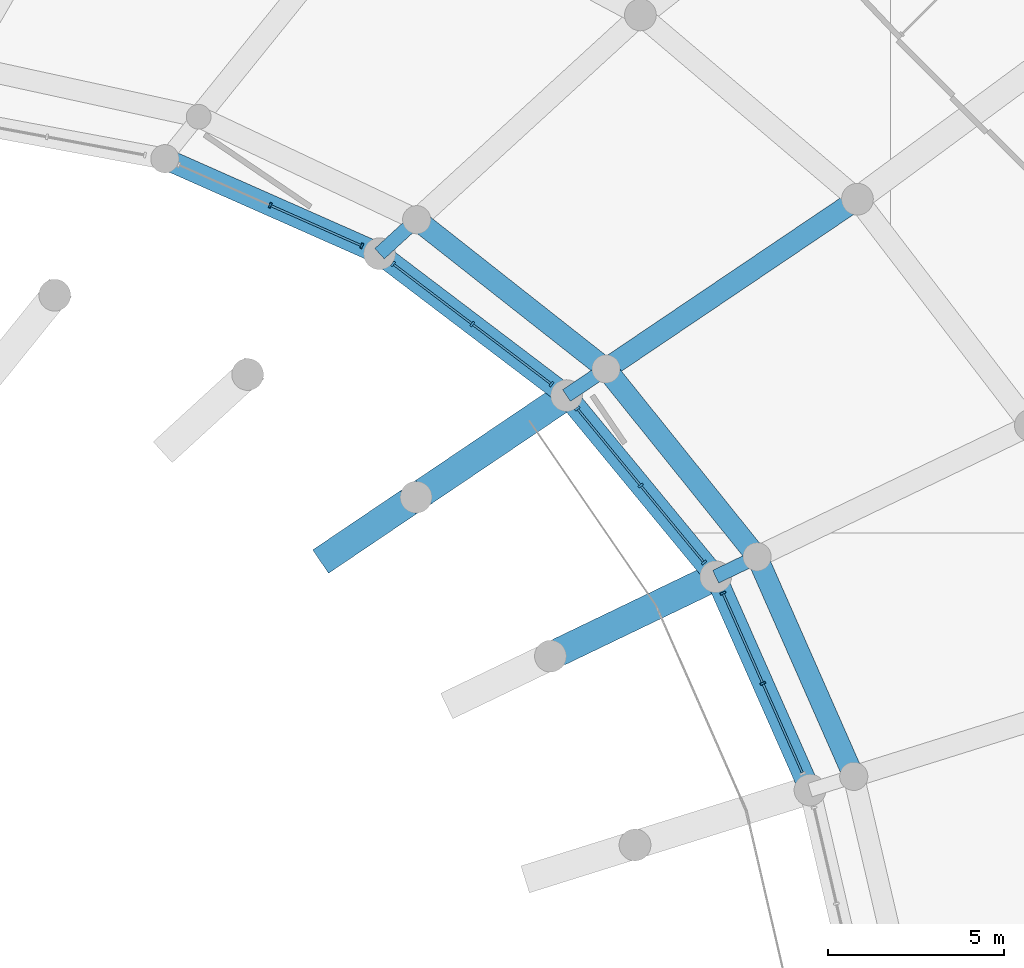
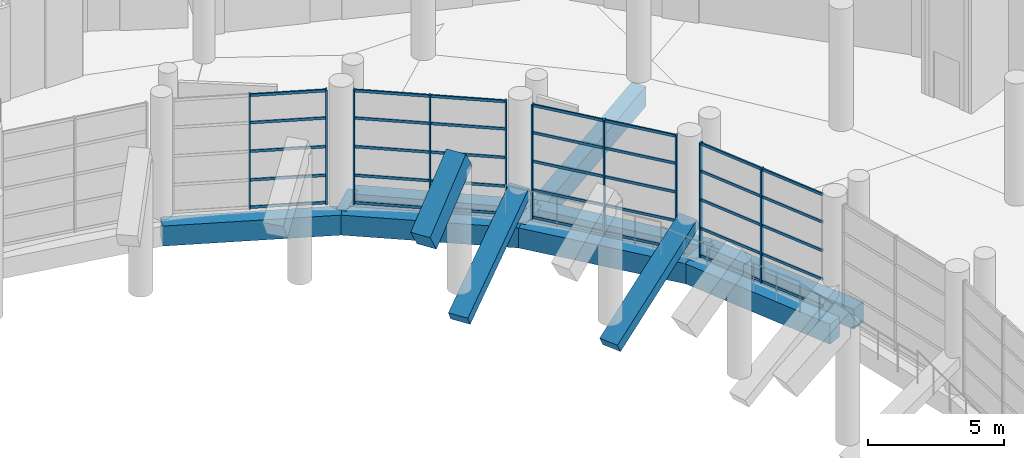
# One storey, part 95 of 271: 45 members, 14 beams, 4 elements without a shape of their own.
"""IFC4 building model written with IfcOpenShell, lengths in metres."""

from ifc_helpers import new_model, si_unit, direction, frame, origin, origin_2d, place, context, subcontext, project, spatial, rectangle, extrude, material, layer, layer_set, material_profile, profile_set, type_object, element, aggregate, save


model = new_model("IFC4")

# Units and contexts
model_context = context("Model", 3, precision=1e-05, world=origin(), true_north=direction((0.0, 1.0)))
body_context = subcontext(model_context, "Body", "Model", "MODEL_VIEW")
ifc_project = project(units=[si_unit("LENGTHUNIT", "METRE"), si_unit("AREAUNIT", "SQUARE_METRE"), si_unit("VOLUMEUNIT", "CUBIC_METRE"), si_unit("PLANEANGLEUNIT", "RADIAN"), si_unit("MASSUNIT", "GRAM", prefix="KILO")], contexts=[model_context])

# Site, building, storey
site_placement = place(None, origin())
site = spatial("IfcSite", under=ifc_project, at=site_placement, CompositionType="ELEMENT")
building_placement = place(site_placement, origin())
building = spatial("IfcBuilding", under=site, at=building_placement, Name="Meseta Stadium", CompositionType="ELEMENT")
storey_placement = place(building_placement, frame((0.0, 0.0, 6.5)))
storey = spatial("IfcBuildingStorey", under=building, at=storey_placement, Name="L01", CompositionType="ELEMENT", Elevation=6.5)

# Curtain wall, members
ifc_material_1 = material(Name="Aluminium", Category="aluminium")
ifc_layer = layer(ifc_material_1, 0.199951171875)
ifc_layer_set = layer_set([ifc_layer], Name="Club glazing curtain wall")
curtain_wall_type = type_object("IfcCurtainWallType", Name="Club glazing curtain wall", PredefinedType="NOTDEFINED", material=ifc_layer_set)
curtain_wall_1_placement = place(storey_placement, origin())
curtain_wall_1 = element("IfcCurtainWall", 1, at=curtain_wall_1_placement, inside=storey, type_object=curtain_wall_type, Name="Club glazing bay 10", PredefinedType="NOTDEFINED")
ifc_material_2 = material(Name="Aluminium", Category="aluminium")
ifc_material_profile_1 = material_profile(ifc_material_2, rectangle(XDim=0.159912109375, YDim=0.06005859375, at=origin_2d()), Name="CW 160x60")
ifc_profile_set_1 = profile_set([ifc_material_profile_1], Name="Aluminium")
member_type_1 = type_object("IfcMemberType", Name="CW mullion 60x160", PredefinedType="MULLION", material=ifc_profile_set_1)
member_1_placement = place(storey_placement, frame((60.385498046875, 59.7421875, 0.0), z_axis=(0.0, 0.0, 1.0), x_axis=(-0.914657215102, -0.404230353712, 0.0)))
member_1 = element("IfcMember", 2, at=member_1_placement, type_object=member_type_1, Name="CWC mullion 2", PredefinedType="MULLION", context=body_context, shape_type="SweptSolid", body=[
    extrude(rectangle(XDim=0.159912109375, YDim=0.06005859375, at=origin_2d()), origin(), (0.0, 0.0, 1.0), 5.14990234375),
])
member_2_placement = place(storey_placement, frame((59.2548828125, 62.300537109375, 0.0), z_axis=(0.0, 0.0, 1.0), x_axis=(-0.914657215102, -0.404230353712, 0.0)))
member_2 = element("IfcMember", 3, at=member_2_placement, type_object=member_type_1, Name="CWC mullion 3", PredefinedType="MULLION", context=body_context, shape_type="SweptSolid", body=[
    extrude(rectangle(XDim=0.159912109375, YDim=0.06005859375, at=origin_2d()), origin(), (0.0, 0.0, 1.0), 5.14990234375),
])

curtain_wall_2_placement = place(storey_placement, origin())
curtain_wall_2 = element("IfcCurtainWall", 4, at=curtain_wall_2_placement, inside=storey, type_object=curtain_wall_type, Name="Club glazing bay 11", PredefinedType="NOTDEFINED")
member_3_placement = place(storey_placement, frame((58.71630859375, 63.170166015625, 0.0), z_axis=(0.0, 0.0, 1.0), x_axis=(-0.771902420685, -0.63574102663, 0.0)))
member_3 = element("IfcMember", 5, at=member_3_placement, type_object=member_type_1, Name="CWC mullion 1", PredefinedType="MULLION", context=body_context, shape_type="SweptSolid", body=[
    extrude(rectangle(XDim=0.159912109375, YDim=0.06005859375, at=origin_2d()), origin(), (0.0, 0.0, 1.0), 5.14990234375),
])
member_4_placement = place(storey_placement, frame((56.920654296875, 65.3505859375, 0.0), z_axis=(0.0, 0.0, 1.0), x_axis=(-0.771902420685, -0.63574102663, 0.0)))
member_4 = element("IfcMember", 6, at=member_4_placement, type_object=member_type_1, Name="CWC mullion 2", PredefinedType="MULLION", context=body_context, shape_type="SweptSolid", body=[
    extrude(rectangle(XDim=0.159912109375, YDim=0.06005859375, at=origin_2d()), origin(), (0.0, 0.0, 1.0), 5.14990234375),
])
member_5_placement = place(storey_placement, frame((55.124755859375, 67.531005859375, 0.0), z_axis=(0.0, 0.0, 1.0), x_axis=(-0.771902420685, -0.63574102663, 0.0)))
member_5 = element("IfcMember", 7, at=member_5_placement, type_object=member_type_1, Name="CWC mullion 3", PredefinedType="MULLION", context=body_context, shape_type="SweptSolid", body=[
    extrude(rectangle(XDim=0.159912109375, YDim=0.06005859375, at=origin_2d()), origin(), (0.0, 0.0, 1.0), 5.14990234375),
])

curtain_wall_3_placement = place(storey_placement, origin())
curtain_wall_3 = element("IfcCurtainWall", 8, at=curtain_wall_3_placement, inside=storey, type_object=curtain_wall_type, Name="Club glazing bay 12", PredefinedType="NOTDEFINED")
member_6_placement = place(storey_placement, frame((54.392578125, 68.2255859375, 0.0), z_axis=(0.0, 0.0, 1.0), x_axis=(-0.604519923448, -0.796590021375, 0.0)))
member_6 = element("IfcMember", 9, at=member_6_placement, type_object=member_type_1, Name="CWC mullion 1", PredefinedType="MULLION", context=body_context, shape_type="SweptSolid", body=[
    extrude(rectangle(XDim=0.159912109375, YDim=0.06005859375, at=origin_2d()), origin(), (0.0, 0.0, 1.0), 5.14990234375),
])
member_7_placement = place(storey_placement, frame((52.146484375, 69.93017578125, 0.0), z_axis=(0.0, 0.0, 1.0), x_axis=(-0.604519923448, -0.796590021375, 0.0)))
member_7 = element("IfcMember", 10, at=member_7_placement, type_object=member_type_1, Name="CWC mullion 2", PredefinedType="MULLION", context=body_context, shape_type="SweptSolid", body=[
    extrude(rectangle(XDim=0.159912109375, YDim=0.06005859375, at=origin_2d()), origin(), (0.0, 0.0, 1.0), 5.14990234375),
])
member_8_placement = place(storey_placement, frame((49.900390625, 71.634765625, 0.0), z_axis=(0.0, 0.0, 1.0), x_axis=(-0.604519923448, -0.796590021375, 0.0)))
member_8 = element("IfcMember", 11, at=member_8_placement, type_object=member_type_1, Name="CWC mullion 3", PredefinedType="MULLION", context=body_context, shape_type="SweptSolid", body=[
    extrude(rectangle(XDim=0.159912109375, YDim=0.06005859375, at=origin_2d()), origin(), (0.0, 0.0, 1.0), 5.14990234375),
])

curtain_wall_4_placement = place(storey_placement, origin())
curtain_wall_4 = element("IfcCurtainWall", 12, at=curtain_wall_4_placement, inside=storey, type_object=curtain_wall_type, Name="Club glazing bay 13", PredefinedType="NOTDEFINED")
member_9_placement = place(storey_placement, frame((49.0126953125, 72.148193359375, 0.0), z_axis=(0.0, 0.0, 1.0), x_axis=(-0.40452428424, -0.914527256817, 0.0)))
member_9 = element("IfcMember", 13, at=member_9_placement, type_object=member_type_1, Name="CWC mullion 1", PredefinedType="MULLION", context=body_context, shape_type="SweptSolid", body=[
    extrude(rectangle(XDim=0.159912109375, YDim=0.06005859375, at=origin_2d()), origin(), (0.0, 0.0, 1.0), 5.14990234375),
])
member_10_placement = place(storey_placement, frame((46.41796875, 73.2958984375, 0.0), z_axis=(0.0, 0.0, 1.0), x_axis=(-0.40452428424, -0.914527256817, 0.0)))
member_10 = element("IfcMember", 14, at=member_10_placement, type_object=member_type_1, Name="CWC mullion 2", PredefinedType="MULLION", context=body_context, shape_type="SweptSolid", body=[
    extrude(rectangle(XDim=0.159912109375, YDim=0.06005859375, at=origin_2d()), origin(), (0.0, 0.0, 1.0), 5.14990234375),
])

# Member
ifc_material_3 = material(Name="Aluminium", Category="aluminium")
ifc_material_profile_2 = material_profile(ifc_material_3, rectangle(XDim=0.06005859375, YDim=0.1201171875, at=origin_2d()), Name="CW 60x120")
ifc_profile_set_2 = profile_set([ifc_material_profile_2], Name="Aluminium")
member_type_2 = type_object("IfcMemberType", Name="CW transom 60x120", PredefinedType="USERDEFINED", material=ifc_profile_set_2)
member_11_placement = place(storey_placement, frame((61.504150390625, 57.211181640625, 0.06005859375), z_axis=(-0.404217645264, 0.914662831461, 0.0), x_axis=(-0.914662831461, -0.404217645264, 0.0)))
member_11 = element("IfcMember", 15, at=member_11_placement, type_object=member_type_2, Name="CWC transom 1.1", ObjectType="TRANSOM", PredefinedType="USERDEFINED", context=body_context, shape_type="SweptSolid", body=[
    extrude(rectangle(XDim=0.06005859375, YDim=0.1201171875, at=origin_2d()), origin(), (0.0, 0.0, 1.0), 2.7373046875),
])

member_12_placement = place(storey_placement, frame((61.504150390625, 57.211181640625, 1.28759765625), z_axis=(-0.404217645264, 0.914662831461, 0.0), x_axis=(-0.914662831461, -0.404217645264, 0.0)))
member_12 = element("IfcMember", 16, at=member_12_placement, type_object=member_type_2, Name="CWC transom 1.2", ObjectType="TRANSOM", PredefinedType="USERDEFINED", context=body_context, shape_type="SweptSolid", body=[
    extrude(rectangle(XDim=0.06005859375, YDim=0.1201171875, at=origin_2d()), origin(), (0.0, 0.0, 1.0), 2.7373046875),
])

member_13_placement = place(storey_placement, frame((61.504150390625, 57.211181640625, 2.574951171875), z_axis=(-0.404217645264, 0.914662831461, 0.0), x_axis=(-0.914662831461, -0.404217645264, 0.0)))
member_13 = element("IfcMember", 17, at=member_13_placement, type_object=member_type_2, Name="CWC transom 1.3", ObjectType="TRANSOM", PredefinedType="USERDEFINED", context=body_context, shape_type="SweptSolid", body=[
    extrude(rectangle(XDim=0.06005859375, YDim=0.1201171875, at=origin_2d()), origin(), (0.0, 0.0, 1.0), 2.7373046875),
])

member_14_placement = place(storey_placement, frame((61.504150390625, 57.211181640625, 3.862548828125), z_axis=(-0.404217645264, 0.914662831461, 0.0), x_axis=(-0.914662831461, -0.404217645264, 0.0)))
member_14 = element("IfcMember", 18, at=member_14_placement, type_object=member_type_2, Name="CWC transom 1.4", ObjectType="TRANSOM", PredefinedType="USERDEFINED", context=body_context, shape_type="SweptSolid", body=[
    extrude(rectangle(XDim=0.06005859375, YDim=0.1201171875, at=origin_2d()), origin(), (0.0, 0.0, 1.0), 2.7373046875),
])

member_15_placement = place(storey_placement, frame((61.504150390625, 57.211181640625, 5.090087890625), z_axis=(-0.404217645264, 0.914662831461, 0.0), x_axis=(-0.914662831461, -0.404217645264, 0.0)))
member_15 = element("IfcMember", 19, at=member_15_placement, type_object=member_type_2, Name="CWC transom 1.5", ObjectType="TRANSOM", PredefinedType="USERDEFINED", context=body_context, shape_type="SweptSolid", body=[
    extrude(rectangle(XDim=0.06005859375, YDim=0.1201171875, at=origin_2d()), origin(), (0.0, 0.0, 1.0), 2.7373046875),
])

member_16_placement = place(storey_placement, frame((60.373291015625, 59.76953125, 0.06005859375), z_axis=(-0.404217645264, 0.914662831461, 0.0), x_axis=(-0.914662831461, -0.404217645264, 0.0)))
member_16 = element("IfcMember", 20, at=member_16_placement, type_object=member_type_2, Name="CWC transom 2.1", ObjectType="TRANSOM", PredefinedType="USERDEFINED", context=body_context, shape_type="SweptSolid", body=[
    extrude(rectangle(XDim=0.06005859375, YDim=0.1201171875, at=origin_2d()), origin(), (0.0, 0.0, 1.0), 2.7373046875),
])

member_17_placement = place(storey_placement, frame((60.373291015625, 59.76953125, 1.28759765625), z_axis=(-0.404217645264, 0.914662831461, 0.0), x_axis=(-0.914662831461, -0.404217645264, 0.0)))
member_17 = element("IfcMember", 21, at=member_17_placement, type_object=member_type_2, Name="CWC transom 2.2", ObjectType="TRANSOM", PredefinedType="USERDEFINED", context=body_context, shape_type="SweptSolid", body=[
    extrude(rectangle(XDim=0.06005859375, YDim=0.1201171875, at=origin_2d()), origin(), (0.0, 0.0, 1.0), 2.7373046875),
])

member_18_placement = place(storey_placement, frame((60.373291015625, 59.76953125, 2.574951171875), z_axis=(-0.404217645264, 0.914662831461, 0.0), x_axis=(-0.914662831461, -0.404217645264, 0.0)))
member_18 = element("IfcMember", 22, at=member_18_placement, type_object=member_type_2, Name="CWC transom 2.3", ObjectType="TRANSOM", PredefinedType="USERDEFINED", context=body_context, shape_type="SweptSolid", body=[
    extrude(rectangle(XDim=0.06005859375, YDim=0.1201171875, at=origin_2d()), origin(), (0.0, 0.0, 1.0), 2.7373046875),
])

member_19_placement = place(storey_placement, frame((60.373291015625, 59.76953125, 3.862548828125), z_axis=(-0.404217645264, 0.914662831461, 0.0), x_axis=(-0.914662831461, -0.404217645264, 0.0)))
member_19 = element("IfcMember", 23, at=member_19_placement, type_object=member_type_2, Name="CWC transom 2.4", ObjectType="TRANSOM", PredefinedType="USERDEFINED", context=body_context, shape_type="SweptSolid", body=[
    extrude(rectangle(XDim=0.06005859375, YDim=0.1201171875, at=origin_2d()), origin(), (0.0, 0.0, 1.0), 2.7373046875),
])

member_20_placement = place(storey_placement, frame((60.373291015625, 59.76953125, 5.090087890625), z_axis=(-0.404217645264, 0.914662831461, 0.0), x_axis=(-0.914662831461, -0.404217645264, 0.0)))
member_20 = element("IfcMember", 24, at=member_20_placement, type_object=member_type_2, Name="CWC transom 2.5", ObjectType="TRANSOM", PredefinedType="USERDEFINED", context=body_context, shape_type="SweptSolid", body=[
    extrude(rectangle(XDim=0.06005859375, YDim=0.1201171875, at=origin_2d()), origin(), (0.0, 0.0, 1.0), 2.7373046875),
])

aggregate(curtain_wall_1, [member_1, member_2, member_11, member_12, member_13, member_14, member_15, member_16, member_17, member_18, member_19, member_20])

member_21_placement = place(storey_placement, frame((58.697265625, 63.193359375, 0.06005859375), z_axis=(-0.63573511069, 0.771907293032, 0.0), x_axis=(-0.771907293032, -0.63573511069, 0.0)))
member_21 = element("IfcMember", 25, at=member_21_placement, type_object=member_type_2, Name="CWC transom 1.1", ObjectType="TRANSOM", PredefinedType="USERDEFINED", context=body_context, shape_type="SweptSolid", body=[
    extrude(rectangle(XDim=0.06005859375, YDim=0.1201171875, at=origin_2d()), origin(), (0.0, 0.0, 1.0), 2.7646484375),
])

member_22_placement = place(storey_placement, frame((58.697265625, 63.193359375, 1.28759765625), z_axis=(-0.63573511069, 0.771907293032, 0.0), x_axis=(-0.771907293032, -0.63573511069, 0.0)))
member_22 = element("IfcMember", 26, at=member_22_placement, type_object=member_type_2, Name="CWC transom 1.2", ObjectType="TRANSOM", PredefinedType="USERDEFINED", context=body_context, shape_type="SweptSolid", body=[
    extrude(rectangle(XDim=0.06005859375, YDim=0.1201171875, at=origin_2d()), origin(), (0.0, 0.0, 1.0), 2.7646484375),
])

member_23_placement = place(storey_placement, frame((58.697265625, 63.193359375, 2.574951171875), z_axis=(-0.63573511069, 0.771907293032, 0.0), x_axis=(-0.771907293032, -0.63573511069, 0.0)))
member_23 = element("IfcMember", 27, at=member_23_placement, type_object=member_type_2, Name="CWC transom 1.3", ObjectType="TRANSOM", PredefinedType="USERDEFINED", context=body_context, shape_type="SweptSolid", body=[
    extrude(rectangle(XDim=0.06005859375, YDim=0.1201171875, at=origin_2d()), origin(), (0.0, 0.0, 1.0), 2.7646484375),
])

member_24_placement = place(storey_placement, frame((58.697265625, 63.193359375, 3.862548828125), z_axis=(-0.63573511069, 0.771907293032, 0.0), x_axis=(-0.771907293032, -0.63573511069, 0.0)))
member_24 = element("IfcMember", 28, at=member_24_placement, type_object=member_type_2, Name="CWC transom 1.4", ObjectType="TRANSOM", PredefinedType="USERDEFINED", context=body_context, shape_type="SweptSolid", body=[
    extrude(rectangle(XDim=0.06005859375, YDim=0.1201171875, at=origin_2d()), origin(), (0.0, 0.0, 1.0), 2.7646484375),
])

member_25_placement = place(storey_placement, frame((58.697265625, 63.193359375, 5.090087890625), z_axis=(-0.63573511069, 0.771907293032, 0.0), x_axis=(-0.771907293032, -0.63573511069, 0.0)))
member_25 = element("IfcMember", 29, at=member_25_placement, type_object=member_type_2, Name="CWC transom 1.5", ObjectType="TRANSOM", PredefinedType="USERDEFINED", context=body_context, shape_type="SweptSolid", body=[
    extrude(rectangle(XDim=0.06005859375, YDim=0.1201171875, at=origin_2d()), origin(), (0.0, 0.0, 1.0), 2.7646484375),
])

member_26_placement = place(storey_placement, frame((56.9013671875, 65.373779296875, 0.06005859375), z_axis=(-0.63573511069, 0.771907293032, 0.0), x_axis=(-0.771907293032, -0.63573511069, 0.0)))
member_26 = element("IfcMember", 30, at=member_26_placement, type_object=member_type_2, Name="CWC transom 2.1", ObjectType="TRANSOM", PredefinedType="USERDEFINED", context=body_context, shape_type="SweptSolid", body=[
    extrude(rectangle(XDim=0.06005859375, YDim=0.1201171875, at=origin_2d()), origin(), (0.0, 0.0, 1.0), 2.7646484375),
])

member_27_placement = place(storey_placement, frame((56.9013671875, 65.373779296875, 1.28759765625), z_axis=(-0.63573511069, 0.771907293032, 0.0), x_axis=(-0.771907293032, -0.63573511069, 0.0)))
member_27 = element("IfcMember", 31, at=member_27_placement, type_object=member_type_2, Name="CWC transom 2.2", ObjectType="TRANSOM", PredefinedType="USERDEFINED", context=body_context, shape_type="SweptSolid", body=[
    extrude(rectangle(XDim=0.06005859375, YDim=0.1201171875, at=origin_2d()), origin(), (0.0, 0.0, 1.0), 2.7646484375),
])

member_28_placement = place(storey_placement, frame((56.9013671875, 65.373779296875, 2.574951171875), z_axis=(-0.63573511069, 0.771907293032, 0.0), x_axis=(-0.771907293032, -0.63573511069, 0.0)))
member_28 = element("IfcMember", 32, at=member_28_placement, type_object=member_type_2, Name="CWC transom 2.3", ObjectType="TRANSOM", PredefinedType="USERDEFINED", context=body_context, shape_type="SweptSolid", body=[
    extrude(rectangle(XDim=0.06005859375, YDim=0.1201171875, at=origin_2d()), origin(), (0.0, 0.0, 1.0), 2.7646484375),
])

member_29_placement = place(storey_placement, frame((56.9013671875, 65.373779296875, 3.862548828125), z_axis=(-0.63573511069, 0.771907293032, 0.0), x_axis=(-0.771907293032, -0.63573511069, 0.0)))
member_29 = element("IfcMember", 33, at=member_29_placement, type_object=member_type_2, Name="CWC transom 2.4", ObjectType="TRANSOM", PredefinedType="USERDEFINED", context=body_context, shape_type="SweptSolid", body=[
    extrude(rectangle(XDim=0.06005859375, YDim=0.1201171875, at=origin_2d()), origin(), (0.0, 0.0, 1.0), 2.7646484375),
])

member_30_placement = place(storey_placement, frame((56.9013671875, 65.373779296875, 5.090087890625), z_axis=(-0.63573511069, 0.771907293032, 0.0), x_axis=(-0.771907293032, -0.63573511069, 0.0)))
member_30 = element("IfcMember", 34, at=member_30_placement, type_object=member_type_2, Name="CWC transom 2.5", ObjectType="TRANSOM", PredefinedType="USERDEFINED", context=body_context, shape_type="SweptSolid", body=[
    extrude(rectangle(XDim=0.06005859375, YDim=0.1201171875, at=origin_2d()), origin(), (0.0, 0.0, 1.0), 2.7646484375),
])

aggregate(curtain_wall_2, [member_3, member_4, member_5, member_21, member_22, member_23, member_24, member_25, member_26, member_27, member_28, member_29, member_30])

member_31_placement = place(storey_placement, frame((54.368896484375, 68.24365234375, 0.06005859375), z_axis=(-0.796579631183, 0.604533614603, 0.0), x_axis=(-0.604533614603, -0.796579631183, 0.0)))
member_31 = element("IfcMember", 35, at=member_31_placement, type_object=member_type_2, Name="CWC transom 1.1", ObjectType="TRANSOM", PredefinedType="USERDEFINED", context=body_context, shape_type="SweptSolid", body=[
    extrude(rectangle(XDim=0.06005859375, YDim=0.1201171875, at=origin_2d()), origin(), (0.0, 0.0, 1.0), 2.760009765625),
])

member_32_placement = place(storey_placement, frame((54.368896484375, 68.24365234375, 1.28759765625), z_axis=(-0.796579631183, 0.604533614603, 0.0), x_axis=(-0.604533614603, -0.796579631183, 0.0)))
member_32 = element("IfcMember", 36, at=member_32_placement, type_object=member_type_2, Name="CWC transom 1.2", ObjectType="TRANSOM", PredefinedType="USERDEFINED", context=body_context, shape_type="SweptSolid", body=[
    extrude(rectangle(XDim=0.06005859375, YDim=0.1201171875, at=origin_2d()), origin(), (0.0, 0.0, 1.0), 2.760009765625),
])

member_33_placement = place(storey_placement, frame((54.368896484375, 68.24365234375, 2.574951171875), z_axis=(-0.796579631183, 0.604533614603, 0.0), x_axis=(-0.604533614603, -0.796579631183, 0.0)))
member_33 = element("IfcMember", 37, at=member_33_placement, type_object=member_type_2, Name="CWC transom 1.3", ObjectType="TRANSOM", PredefinedType="USERDEFINED", context=body_context, shape_type="SweptSolid", body=[
    extrude(rectangle(XDim=0.06005859375, YDim=0.1201171875, at=origin_2d()), origin(), (0.0, 0.0, 1.0), 2.760009765625),
])

member_34_placement = place(storey_placement, frame((54.368896484375, 68.24365234375, 3.862548828125), z_axis=(-0.796579631183, 0.604533614603, 0.0), x_axis=(-0.604533614603, -0.796579631183, 0.0)))
member_34 = element("IfcMember", 38, at=member_34_placement, type_object=member_type_2, Name="CWC transom 1.4", ObjectType="TRANSOM", PredefinedType="USERDEFINED", context=body_context, shape_type="SweptSolid", body=[
    extrude(rectangle(XDim=0.06005859375, YDim=0.1201171875, at=origin_2d()), origin(), (0.0, 0.0, 1.0), 2.760009765625),
])

member_35_placement = place(storey_placement, frame((54.368896484375, 68.24365234375, 5.090087890625), z_axis=(-0.796579631183, 0.604533614603, 0.0), x_axis=(-0.604533614603, -0.796579631183, 0.0)))
member_35 = element("IfcMember", 39, at=member_35_placement, type_object=member_type_2, Name="CWC transom 1.5", ObjectType="TRANSOM", PredefinedType="USERDEFINED", context=body_context, shape_type="SweptSolid", body=[
    extrude(rectangle(XDim=0.06005859375, YDim=0.1201171875, at=origin_2d()), origin(), (0.0, 0.0, 1.0), 2.760009765625),
])

member_36_placement = place(storey_placement, frame((52.12255859375, 69.9482421875, 0.06005859375), z_axis=(-0.796547299203, 0.604576215321, 0.0), x_axis=(-0.604576215321, -0.796547299203, 0.0)))
member_36 = element("IfcMember", 40, at=member_36_placement, type_object=member_type_2, Name="CWC transom 2.1", ObjectType="TRANSOM", PredefinedType="USERDEFINED", context=body_context, shape_type="SweptSolid", body=[
    extrude(rectangle(XDim=0.06005859375, YDim=0.1201171875, at=origin_2d()), origin(), (0.0, 0.0, 1.0), 2.759765625),
])

member_37_placement = place(storey_placement, frame((52.12255859375, 69.9482421875, 1.28759765625), z_axis=(-0.796547299203, 0.604576215321, 0.0), x_axis=(-0.604576215321, -0.796547299203, 0.0)))
member_37 = element("IfcMember", 41, at=member_37_placement, type_object=member_type_2, Name="CWC transom 2.2", ObjectType="TRANSOM", PredefinedType="USERDEFINED", context=body_context, shape_type="SweptSolid", body=[
    extrude(rectangle(XDim=0.06005859375, YDim=0.1201171875, at=origin_2d()), origin(), (0.0, 0.0, 1.0), 2.759765625),
])

member_38_placement = place(storey_placement, frame((52.12255859375, 69.9482421875, 2.574951171875), z_axis=(-0.796547299203, 0.604576215321, 0.0), x_axis=(-0.604576215321, -0.796547299203, 0.0)))
member_38 = element("IfcMember", 42, at=member_38_placement, type_object=member_type_2, Name="CWC transom 2.3", ObjectType="TRANSOM", PredefinedType="USERDEFINED", context=body_context, shape_type="SweptSolid", body=[
    extrude(rectangle(XDim=0.06005859375, YDim=0.1201171875, at=origin_2d()), origin(), (0.0, 0.0, 1.0), 2.759765625),
])

member_39_placement = place(storey_placement, frame((52.12255859375, 69.9482421875, 3.862548828125), z_axis=(-0.796547299203, 0.604576215321, 0.0), x_axis=(-0.604576215321, -0.796547299203, 0.0)))
member_39 = element("IfcMember", 43, at=member_39_placement, type_object=member_type_2, Name="CWC transom 2.4", ObjectType="TRANSOM", PredefinedType="USERDEFINED", context=body_context, shape_type="SweptSolid", body=[
    extrude(rectangle(XDim=0.06005859375, YDim=0.1201171875, at=origin_2d()), origin(), (0.0, 0.0, 1.0), 2.759765625),
])

member_40_placement = place(storey_placement, frame((52.12255859375, 69.9482421875, 5.090087890625), z_axis=(-0.796547299203, 0.604576215321, 0.0), x_axis=(-0.604576215321, -0.796547299203, 0.0)))
member_40 = element("IfcMember", 44, at=member_40_placement, type_object=member_type_2, Name="CWC transom 2.5", ObjectType="TRANSOM", PredefinedType="USERDEFINED", context=body_context, shape_type="SweptSolid", body=[
    extrude(rectangle(XDim=0.06005859375, YDim=0.1201171875, at=origin_2d()), origin(), (0.0, 0.0, 1.0), 2.759765625),
])

aggregate(curtain_wall_3, [member_6, member_7, member_8, member_31, member_32, member_33, member_34, member_35, member_36, member_37, member_38, member_39, member_40])

member_41_placement = place(storey_placement, frame((48.985107421875, 72.160400390625, 0.06005859375), z_axis=(-0.914499058319, 0.404588027916, 0.0), x_axis=(-0.404588027916, -0.914499058319, 0.0)))
member_41 = element("IfcMember", 45, at=member_41_placement, type_object=member_type_2, Name="CWC transom 1.1", ObjectType="TRANSOM", PredefinedType="USERDEFINED", context=body_context, shape_type="SweptSolid", body=[
    extrude(rectangle(XDim=0.06005859375, YDim=0.1201171875, at=origin_2d()), origin(), (0.0, 0.0, 1.0), 2.777099609375),
])

member_42_placement = place(storey_placement, frame((48.985107421875, 72.160400390625, 1.28759765625), z_axis=(-0.914499058319, 0.404588027916, 0.0), x_axis=(-0.404588027916, -0.914499058319, 0.0)))
member_42 = element("IfcMember", 46, at=member_42_placement, type_object=member_type_2, Name="CWC transom 1.2", ObjectType="TRANSOM", PredefinedType="USERDEFINED", context=body_context, shape_type="SweptSolid", body=[
    extrude(rectangle(XDim=0.06005859375, YDim=0.1201171875, at=origin_2d()), origin(), (0.0, 0.0, 1.0), 2.777099609375),
])

member_43_placement = place(storey_placement, frame((48.985107421875, 72.160400390625, 2.574951171875), z_axis=(-0.914499058319, 0.404588027916, 0.0), x_axis=(-0.404588027916, -0.914499058319, 0.0)))
member_43 = element("IfcMember", 47, at=member_43_placement, type_object=member_type_2, Name="CWC transom 1.3", ObjectType="TRANSOM", PredefinedType="USERDEFINED", context=body_context, shape_type="SweptSolid", body=[
    extrude(rectangle(XDim=0.06005859375, YDim=0.1201171875, at=origin_2d()), origin(), (0.0, 0.0, 1.0), 2.777099609375),
])

member_44_placement = place(storey_placement, frame((48.985107421875, 72.160400390625, 3.862548828125), z_axis=(-0.914499058319, 0.404588027916, 0.0), x_axis=(-0.404588027916, -0.914499058319, 0.0)))
member_44 = element("IfcMember", 48, at=member_44_placement, type_object=member_type_2, Name="CWC transom 1.4", ObjectType="TRANSOM", PredefinedType="USERDEFINED", context=body_context, shape_type="SweptSolid", body=[
    extrude(rectangle(XDim=0.06005859375, YDim=0.1201171875, at=origin_2d()), origin(), (0.0, 0.0, 1.0), 2.777099609375),
])

member_45_placement = place(storey_placement, frame((48.985107421875, 72.160400390625, 5.090087890625), z_axis=(-0.914499058319, 0.404588027916, 0.0), x_axis=(-0.404588027916, -0.914499058319, 0.0)))
member_45 = element("IfcMember", 49, at=member_45_placement, type_object=member_type_2, Name="CWC transom 1.5", ObjectType="TRANSOM", PredefinedType="USERDEFINED", context=body_context, shape_type="SweptSolid", body=[
    extrude(rectangle(XDim=0.06005859375, YDim=0.1201171875, at=origin_2d()), origin(), (0.0, 0.0, 1.0), 2.777099609375),
])

aggregate(curtain_wall_4, [member_9, member_10, member_41, member_42, member_43, member_44, member_45])

# Beams
ifc_material_4 = material(Name="Concrete C40/50", Category="concrete")
ifc_material_profile_3 = material_profile(ifc_material_4, rectangle(XDim=0.39990234375, YDim=0.60009765625, at=origin_2d()), Name="RC 400x600")
ifc_profile_set_3 = profile_set([ifc_material_profile_3], Name="Concrete C40/50")
beam_type_1 = type_object("IfcBeamType", Name="RC beam 400x600", PredefinedType="BEAM", material=ifc_profile_set_3)
beam_1_placement = place(storey_placement, frame((59.049072265625, 62.766357421875, -0.64990234375), z_axis=(0.901186215953, 0.433432121762, 0.0), x_axis=(-0.433432121762, 0.901186215953, 0.0)))
element("IfcBeam", 50, at=beam_1_placement, inside=storey, type_object=beam_type_1, Name="L01 radial beam frame 11 line C to D", PredefinedType="BEAM", context=body_context, shape_type="SweptSolid", body=[
    extrude(rectangle(XDim=0.39990234375, YDim=0.60009765625, at=origin_2d()), origin(), (0.0, 0.0, 1.0), 1.3017578125),
])
beam_2_placement = place(storey_placement, frame((54.819580078125, 67.901611328125, -0.64990234375), z_axis=(0.828785870945, 0.559565885416, 0.0), x_axis=(-0.559565885416, 0.828785870945, 0.0)))
element("IfcBeam", 51, at=beam_2_placement, inside=storey, type_object=beam_type_1, Name="L01 radial beam frame 12 line C to D", PredefinedType="BEAM", context=body_context, shape_type="SweptSolid", body=[
    extrude(rectangle(XDim=0.39990234375, YDim=0.60009765625, at=origin_2d()), origin(), (0.0, 0.0, 1.0), 1.35205078125),
])
beam_3_placement = place(storey_placement, frame((49.518310546875, 71.924560546875, -0.64990234375), z_axis=(0.737537238319, 0.675306465313, 0.0), x_axis=(-0.675306465313, 0.737537238319, 0.0)))
element("IfcBeam", 52, at=beam_3_placement, inside=storey, type_object=beam_type_1, Name="L01 radial beam frame 13 line C to D", PredefinedType="BEAM", context=body_context, shape_type="SweptSolid", body=[
    extrude(rectangle(XDim=0.39990234375, YDim=0.60009765625, at=origin_2d()), origin(), (0.0, 0.0, 1.0), 1.427978515625),
])
ifc_material_5 = material(Name="Concrete C40/50", Category="concrete")
ifc_material_profile_4 = material_profile(ifc_material_5, rectangle(XDim=0.60009765625, YDim=0.89990234375, at=origin_2d()), Name="RC 600x900")
ifc_profile_set_4 = profile_set([ifc_material_profile_4], Name="Concrete C40/50")
beam_type_2 = type_object("IfcBeamType", Name="RC beam 600x900", PredefinedType="BEAM", material=ifc_profile_set_4)
beam_4_placement = place(storey_placement, frame((61.72314453125, 56.715576171875, -0.800048828125), z_axis=(-0.404223446973, 0.914660267486, 0.0), x_axis=(-0.914660267486, -0.404223446973, 0.0)))
element("IfcBeam", 53, at=beam_4_placement, inside=storey, type_object=beam_type_2, Name="L01 ring beam frame 10 line C", PredefinedType="BEAM", context=body_context, shape_type="SweptSolid", body=[
    extrude(rectangle(XDim=0.60009765625, YDim=0.89990234375, at=origin_2d()), origin(), (0.0, 0.0, 1.0), 6.615234375),
])
beam_5_placement = place(storey_placement, frame((62.963623046875, 57.1044921875, -0.800048828125), z_axis=(-0.402982741988, 0.915207577361, 0.0), x_axis=(-0.915207577361, -0.402982741988, 0.0)))
element("IfcBeam", 54, at=beam_5_placement, inside=storey, type_object=beam_type_2, Name="L01 ring beam frame 10 line D", PredefinedType="BEAM", context=body_context, shape_type="SweptSolid", body=[
    extrude(rectangle(XDim=0.60009765625, YDim=0.89990234375, at=origin_2d()), origin(), (0.0, 0.0, 1.0), 6.802978515625),
])
beam_6_placement = place(storey_placement, frame((59.049072265625, 62.766357421875, -0.800048828125), z_axis=(-0.635748413749, 0.771896336573, 0.0), x_axis=(-0.771896336573, -0.635748413749, 0.0)))
element("IfcBeam", 55, at=beam_6_placement, inside=storey, type_object=beam_type_2, Name="L01 ring beam frame 11 line C", PredefinedType="BEAM", context=body_context, shape_type="SweptSolid", body=[
    extrude(rectangle(XDim=0.60009765625, YDim=0.89990234375, at=origin_2d()), origin(), (0.0, 0.0, 1.0), 6.65283203125),
])
beam_7_placement = place(storey_placement, frame((60.22216796875, 63.33056640625, -0.800048828125), z_axis=(-0.626466293445, 0.779448512204, 0.0), x_axis=(-0.779448512204, -0.626466293445, 0.0)))
element("IfcBeam", 56, at=beam_7_placement, inside=storey, type_object=beam_type_2, Name="L01 ring beam frame 11 line D", PredefinedType="BEAM", context=body_context, shape_type="SweptSolid", body=[
    extrude(rectangle(XDim=0.60009765625, YDim=0.89990234375, at=origin_2d()), origin(), (0.0, 0.0, 1.0), 6.835205078125),
])
beam_8_placement = place(storey_placement, frame((54.819580078125, 67.901611328125, -0.800048828125), z_axis=(-0.796597456173, 0.604510126316, 0.0), x_axis=(-0.604510126316, -0.796597456173, 0.0)))
element("IfcBeam", 57, at=beam_8_placement, inside=storey, type_object=beam_type_2, Name="L01 ring beam frame 12 line C", PredefinedType="BEAM", context=body_context, shape_type="SweptSolid", body=[
    extrude(rectangle(XDim=0.60009765625, YDim=0.89990234375, at=origin_2d()), origin(), (0.0, 0.0, 1.0), 6.65478515625),
])
beam_9_placement = place(storey_placement, frame((55.940185546875, 68.658203125, -0.800048828125), z_axis=(-0.785430108596, 0.618950357065, 0.0), x_axis=(-0.618950357065, -0.785430108596, 0.0)))
element("IfcBeam", 58, at=beam_9_placement, inside=storey, type_object=beam_type_2, Name="L01 ring beam frame 12 line D", PredefinedType="BEAM", context=body_context, shape_type="SweptSolid", body=[
    extrude(rectangle(XDim=0.60009765625, YDim=0.89990234375, at=origin_2d()), origin(), (0.0, 0.0, 1.0), 6.835205078125),
])
beam_10_placement = place(storey_placement, frame((49.518310546875, 71.924560546875, -0.800048828125), z_axis=(-0.914526988421, 0.404524891013, 0.0), x_axis=(-0.404524891013, -0.914526988421, 0.0)))
element("IfcBeam", 59, at=beam_10_placement, inside=storey, type_object=beam_type_2, Name="L01 ring beam frame 13 line C", PredefinedType="BEAM", context=body_context, shape_type="SweptSolid", body=[
    extrude(rectangle(XDim=0.60009765625, YDim=0.89990234375, at=origin_2d()), origin(), (0.0, 0.0, 1.0), 6.656982421875),
])
beam_11_placement = place(storey_placement, frame((55.940185546875, 68.658203125, -0.800048828125), z_axis=(0.828826294275, 0.559506008832, 0.0), x_axis=(-0.559506008832, 0.828826294275, 0.0)))
element("IfcBeam", 60, at=beam_11_placement, inside=storey, type_object=beam_type_2, Name="L01 radial beam frame 12 line D to E", PredefinedType="BEAM", context=body_context, shape_type="SweptSolid", body=[
    extrude(rectangle(XDim=0.60009765625, YDim=0.89990234375, at=origin_2d()), origin(), (0.0, 0.0, 1.0), 8.60009765625),
])
ifc_material_6 = material(Name="Concrete C40/50", Category="concrete")
ifc_material_profile_5 = material_profile(ifc_material_6, rectangle(XDim=0.800048828125, YDim=0.449951171875, at=origin_2d()), Name="RC 800x450")
ifc_profile_set_5 = profile_set([ifc_material_profile_5], Name="Concrete C40/50")
beam_type_3 = type_object("IfcBeamType", Name="RC raker lower 800x450", PredefinedType="USERDEFINED", material=ifc_profile_set_5)
beam_12_placement = place(storey_placement, frame((54.3642578125, 60.513427734375, -1.173583984375), z_axis=(0.803272012463, 0.386293925218, 0.453355354368), x_axis=(-0.433390534461, 0.90120621649, 0.0)))
element("IfcBeam", 61, at=beam_12_placement, inside=storey, type_object=beam_type_3, Name="Raker lower frame 11 lower tier", ObjectType="RAKER", PredefinedType="USERDEFINED", context=body_context, shape_type="SweptSolid", body=[
    extrude(rectangle(XDim=0.800048828125, YDim=0.449951171875, at=origin_2d()), origin(), (0.0, 0.0, 1.0), 5.832275390625),
])
beam_13_placement = place(storey_placement, frame((50.552978515625, 65.021240234375, -1.389892578125), z_axis=(0.738740532827, 0.498721721578, 0.453364168836), x_axis=(-0.559528241414, 0.828811285553, 0.0)))
element("IfcBeam", 62, at=beam_13_placement, inside=storey, type_object=beam_type_3, Name="Raker lower frame 12 lower tier", ObjectType="RAKER", PredefinedType="USERDEFINED", context=body_context, shape_type="SweptSolid", body=[
    extrude(rectangle(XDim=0.800048828125, YDim=0.449951171875, at=origin_2d()), origin(), (0.0, 0.0, 1.0), 5.775390625),
])
ifc_material_7 = material(Name="Concrete C40/50", Category="concrete")
ifc_material_profile_6 = material_profile(ifc_material_7, rectangle(XDim=0.800048828125, YDim=1.0, at=origin_2d()), Name="RC 800x1000")
ifc_profile_set_6 = profile_set([ifc_material_profile_6], Name="Concrete C40/50")
beam_type_4 = type_object("IfcBeamType", Name="RC raker upper front 800x1000", PredefinedType="USERDEFINED", material=ifc_profile_set_6)
beam_14_placement = place(storey_placement, frame((48.06640625, 63.3427734375, 3.998779296875), z_axis=(0.703375507404, 0.47478709999, 0.528999154316), x_axis=(-0.559479843293, 0.828843956936, 0.0)))
element("IfcBeam", 63, at=beam_14_placement, inside=storey, type_object=beam_type_4, Name="Raker upper front frame 12 upper tier", ObjectType="RAKER", PredefinedType="USERDEFINED", context=body_context, shape_type="SweptSolid", body=[
    extrude(rectangle(XDim=0.800048828125, YDim=1.0, at=origin_2d()), origin(), (0.0, 0.0, 1.0), 3.53515625),
])

save(model, "model.ifc")
